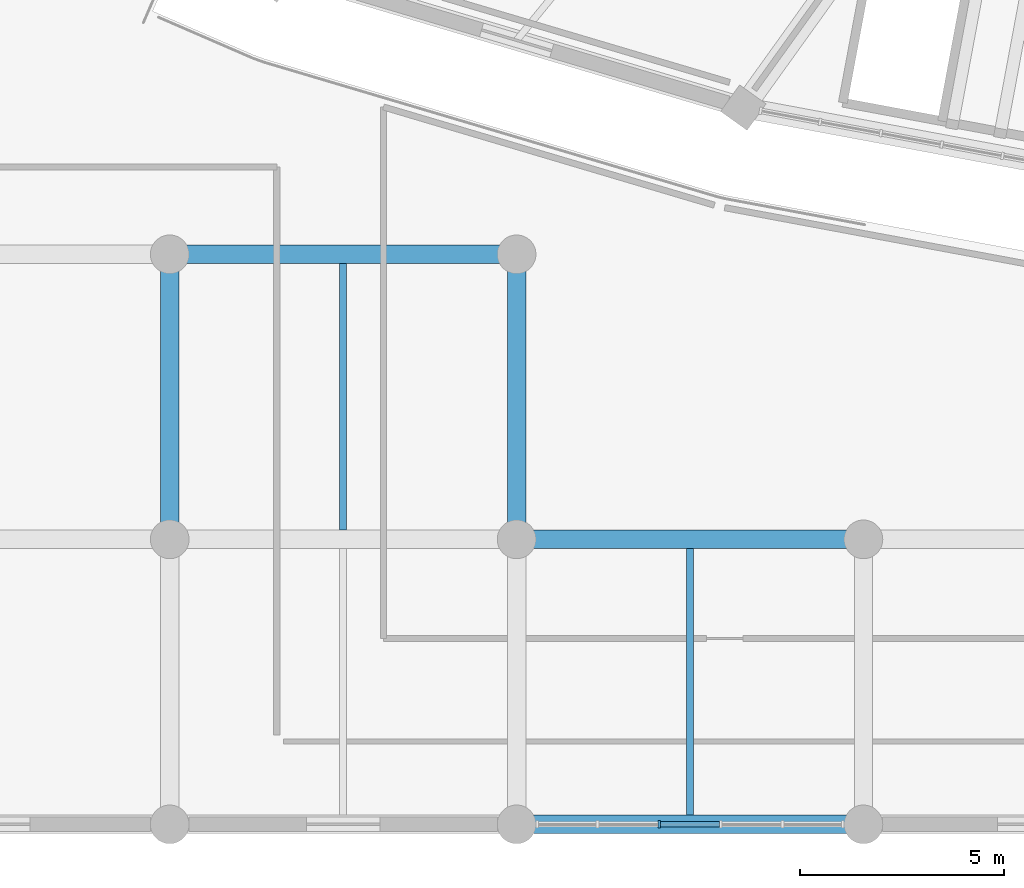
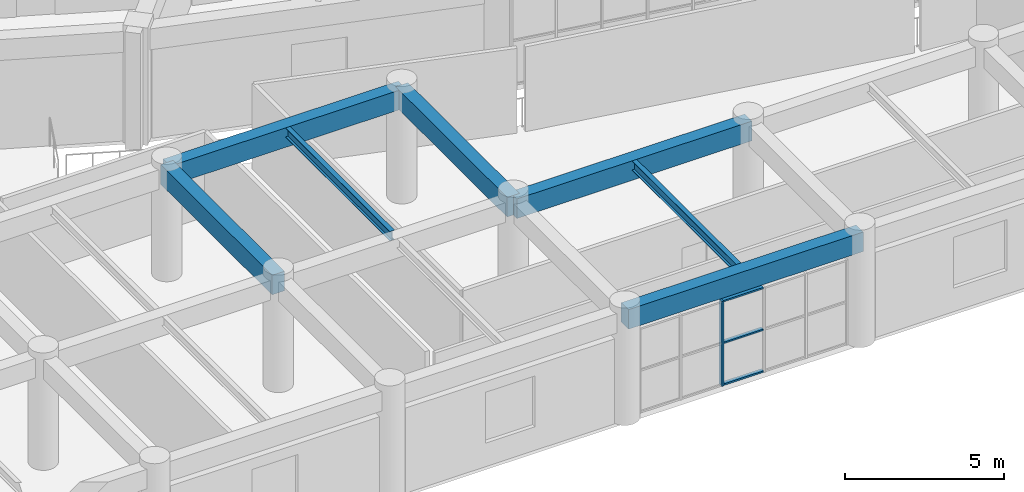
# One storey, part 14 of 145: 7 beams, 4 members, 1 element without a shape of its own.
"""IFC4 building model written with IfcOpenShell, lengths in metres."""

from ifc_helpers import new_model, si_unit, direction, frame, origin, origin_2d, place, context, subcontext, project, spatial, rectangle, i_section, extrude, material, layer, layer_set, material_profile, profile_set, type_object, element, aggregate, save


model = new_model("IFC4")

# Units and contexts
model_context = context("Model", 3, precision=1e-05, world=origin(), true_north=direction((0.0, 1.0)))
body_context = subcontext(model_context, "Body", "Model", "MODEL_VIEW")
ifc_project = project(units=[si_unit("LENGTHUNIT", "METRE"), si_unit("AREAUNIT", "SQUARE_METRE"), si_unit("VOLUMEUNIT", "CUBIC_METRE"), si_unit("PLANEANGLEUNIT", "RADIAN"), si_unit("MASSUNIT", "GRAM", prefix="KILO")], contexts=[model_context])

# Site, building, storey
site_placement = place(None, origin())
site = spatial("IfcSite", under=ifc_project, at=site_placement, CompositionType="ELEMENT")
building_placement = place(site_placement, origin())
building = spatial("IfcBuilding", under=site, at=building_placement, Name="Mphavela Belvedere Stadium", CompositionType="ELEMENT")
storey_placement = place(building_placement, frame((0.0, 0.0, 10.199951171875)))
storey = spatial("IfcBuildingStorey", under=building, at=storey_placement, Name="L02", CompositionType="ELEMENT", Elevation=10.199951171875)

# Beams
ifc_material_1 = material(Name="Steel S355", Category="steel")
ifc_material_profile_1 = material_profile(ifc_material_1, i_section(OverallWidth=0.169921875, OverallDepth=0.360107421875, WebThickness=0.008056640625, FlangeThickness=0.0126953125, at=origin_2d()), Name="IPE 360")
ifc_profile_set_1 = profile_set([ifc_material_profile_1], Name="Steel S355")
beam_type_1 = type_object("IfcBeamType", Name="BM-JOIST-IPE360", PredefinedType="JOIST", material=ifc_profile_set_1)
for number, where, z_axis, x_axis, name in (
    (1, (55.37060546875, 7.22509765625, 4.06005859375), (0.0, 1.0, 0.0), (-1.0, 0.0, 0.0), "South Axial Triumphal Peristyle Portico secondary joist L02 7-2"),
    (2, (63.888916015625, 0.22509765625, 4.06005859375), (0.0, 1.0, 0.0), (-1.0, 0.0, 0.0), "South Axial Triumphal Peristyle Portico secondary joist L02 8-1"),
):
    element("IfcBeam", number, at=place(storey_placement, frame(where, z_axis=z_axis, x_axis=x_axis)), inside=storey, type_object=beam_type_1, Name=name, PredefinedType="JOIST", context=body_context, shape_type="SweptSolid", body=[
        extrude(i_section(OverallWidth=0.169921875, OverallDepth=0.360107421875, WebThickness=0.008056640625, FlangeThickness=0.0126953125, at=origin_2d()), origin(), (0.0, 0.0, 1.0), 6.5498046875),
    ])
ifc_material_2 = material(Name="Concrete C40/50", Category="concrete")
ifc_material_profile_2 = material_profile(ifc_material_2, rectangle(XDim=0.449951171875, YDim=0.75, at=origin_2d()), Name="RC 450x750")
ifc_profile_set_2 = profile_set([ifc_material_profile_2], Name="Concrete C40/50")
beam_type_2 = type_object("IfcBeamType", Name="BM-RC450x750", PredefinedType="BEAM", material=ifc_profile_set_2)
beam_1_placement = place(storey_placement, frame((51.111083984375, 7.0, 3.864990234375), z_axis=(0.0, 1.0, 0.0), x_axis=(-1.0, 0.0, 0.0)))
element("IfcBeam", 3, at=beam_1_placement, inside=storey, type_object=beam_type_2, Name="South Axial Triumphal Peristyle Portico entablature beam Y L02 7-2", PredefinedType="BEAM", context=body_context, shape_type="SweptSolid", body=[
    extrude(rectangle(XDim=0.449951171875, YDim=0.75, at=origin_2d()), origin(), (0.0, 0.0, 1.0), 7.0),
])
beam_2_placement = place(storey_placement, frame((51.111083984375, 14.0, 3.864990234375), z_axis=(1.0, 0.0, 0.0), x_axis=(0.0, 1.0, 0.0)))
element("IfcBeam", 4, at=beam_2_placement, inside=storey, type_object=beam_type_2, Name="South Axial Triumphal Peristyle Portico entablature beam X L02 7-3", PredefinedType="BEAM", context=body_context, shape_type="SweptSolid", body=[
    extrude(rectangle(XDim=0.449951171875, YDim=0.75, at=origin_2d()), origin(), (0.0, 0.0, 1.0), 8.518798828125),
])
for number, where, z_axis, x_axis, name in (
    (5, (59.6298828125, 0.0, 3.864990234375), (1.0, 0.0, 0.0), (0.0, 1.0, 0.0), "South Axial Triumphal Peristyle Portico entablature beam X L02 8-1"),
    (6, (59.6298828125, 7.0, 3.864990234375), (1.0, 0.0, 0.0), (0.0, 1.0, 0.0), "South Axial Triumphal Peristyle Portico entablature beam X L02 8-2"),
):
    element("IfcBeam", number, at=place(storey_placement, frame(where, z_axis=z_axis, x_axis=x_axis)), inside=storey, type_object=beam_type_2, Name=name, PredefinedType="BEAM", context=body_context, shape_type="SweptSolid", body=[
        extrude(rectangle(XDim=0.449951171875, YDim=0.75, at=origin_2d()), origin(), (0.0, 0.0, 1.0), 8.51806640625),
    ])
beam_3_placement = place(storey_placement, frame((59.6298828125, 7.0, 3.864990234375), z_axis=(0.0, 1.0, 0.0), x_axis=(-1.0, 0.0, 0.0)))
element("IfcBeam", 7, at=beam_3_placement, inside=storey, type_object=beam_type_2, Name="South Axial Triumphal Peristyle Portico entablature beam Y L02 8-2", PredefinedType="BEAM", context=body_context, shape_type="SweptSolid", body=[
    extrude(rectangle(XDim=0.449951171875, YDim=0.75, at=origin_2d()), origin(), (0.0, 0.0, 1.0), 7.0),
])

# Curtain wall, members
ifc_material_3 = material(Name="Anodised bronze unitised curtain wall framing")
ifc_layer = layer(ifc_material_3, 0.18505859375)
ifc_layer_set = layer_set([ifc_layer], Name="Anodised bronze unitised curtain wall framing")
curtain_wall_type = type_object("IfcCurtainWallType", Name="CW-UNIT-02", PredefinedType="USERDEFINED", material=ifc_layer_set)
curtain_wall_placement = place(storey_placement, origin())
curtain_wall = element("IfcCurtainWall", 8, at=curtain_wall_placement, inside=storey, type_object=curtain_wall_type, Name="South Axial Triumphal Peristyle Portico gallery curtain wall L02-08", ObjectType="UNITISED CURTAIN WALL", PredefinedType="USERDEFINED")
ifc_material_4 = material(Name="Anodised bronze extruded aluminium", Category="aluminium")
ifc_material_profile_3 = material_profile(ifc_material_4, rectangle(XDim=0.179931640625, YDim=0.06494140625, at=origin_2d()), Name="CW-MUL 180x65")
ifc_profile_set_3 = profile_set([ifc_material_profile_3], Name="Anodised bronze extruded aluminium")
member_type_1 = type_object("IfcMemberType", Name="CWM-180x65", PredefinedType="MULLION", material=ifc_profile_set_3)
member_1_placement = place(storey_placement, frame((63.1318359375, 0.0, 0.0), z_axis=(0.0, 0.0, 1.0), x_axis=(0.0, -1.0, 0.0)))
member_1 = element("IfcMember", 9, at=member_1_placement, type_object=member_type_1, Name="CW-02 mullion 4", PredefinedType="MULLION", context=body_context, shape_type="SweptSolid", body=[
    extrude(rectangle(XDim=0.179931640625, YDim=0.06494140625, at=origin_2d()), origin(), (0.0, 0.0, 1.0), 3.260009765625),
])
ifc_material_5 = material(Name="Anodised bronze extruded aluminium", Category="aluminium")
ifc_material_profile_4 = material_profile(ifc_material_5, rectangle(XDim=0.139892578125, YDim=0.06005859375, at=origin_2d()), Name="CW-TRN 140x60")
ifc_profile_set_4 = profile_set([ifc_material_profile_4], Name="Anodised bronze extruded aluminium")
member_type_2 = type_object("IfcMemberType", Name="CWT-140x60", PredefinedType="USERDEFINED", material=ifc_profile_set_4)
member_2_placement = place(storey_placement, frame((64.61376953125, 0.0, 0.030029296875), z_axis=(-1.0, 0.0, 0.0), x_axis=(0.0, -1.0, 0.0)))
member_2 = element("IfcMember", 10, at=member_2_placement, type_object=member_type_2, Name="CW-02 transom 3.1", ObjectType="TRANSOM", PredefinedType="USERDEFINED", context=body_context, shape_type="SweptSolid", body=[
    extrude(rectangle(XDim=0.139892578125, YDim=0.06005859375, at=origin_2d()), origin(), (0.0, 0.0, 1.0), 1.449462890625),
])
member_3_placement = place(storey_placement, frame((64.61376953125, 0.0, 1.630126953125), z_axis=(-1.0, 0.0, 0.0), x_axis=(0.0, -1.0, 0.0)))
member_3 = element("IfcMember", 11, at=member_3_placement, type_object=member_type_2, Name="CW-02 transom 3.2", ObjectType="TRANSOM", PredefinedType="USERDEFINED", context=body_context, shape_type="SweptSolid", body=[
    extrude(rectangle(XDim=0.139892578125, YDim=0.06005859375, at=origin_2d()), origin(), (0.0, 0.0, 1.0), 1.449462890625),
])
member_4_placement = place(storey_placement, frame((64.61376953125, 0.0, 3.22998046875), z_axis=(-1.0, 0.0, 0.0), x_axis=(0.0, -1.0, 0.0)))
member_4 = element("IfcMember", 12, at=member_4_placement, type_object=member_type_2, Name="CW-02 transom 3.3", ObjectType="TRANSOM", PredefinedType="USERDEFINED", context=body_context, shape_type="SweptSolid", body=[
    extrude(rectangle(XDim=0.139892578125, YDim=0.06005859375, at=origin_2d()), origin(), (0.0, 0.0, 1.0), 1.449462890625),
])
aggregate(curtain_wall, [member_1, member_2, member_3, member_4])

save(model, "model.ifc")
